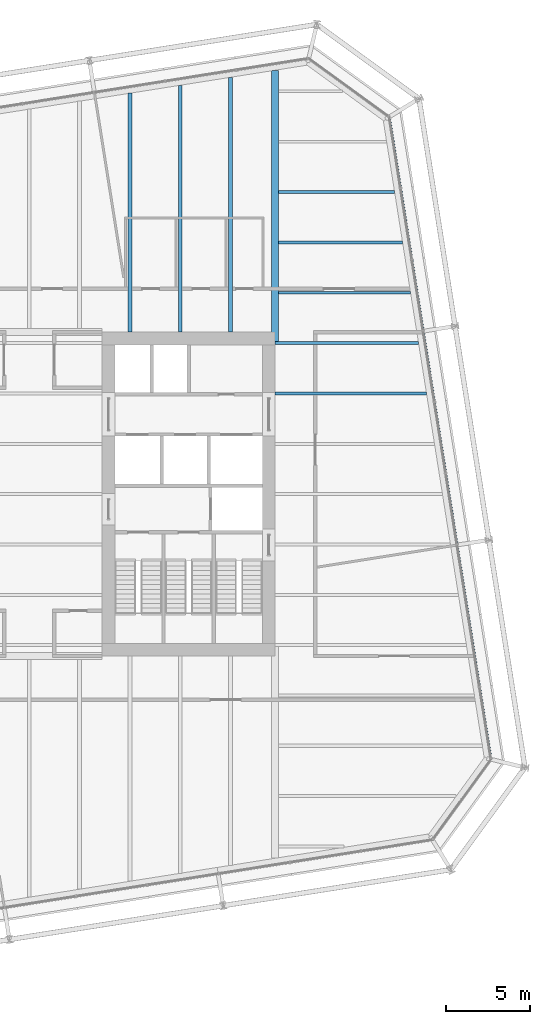
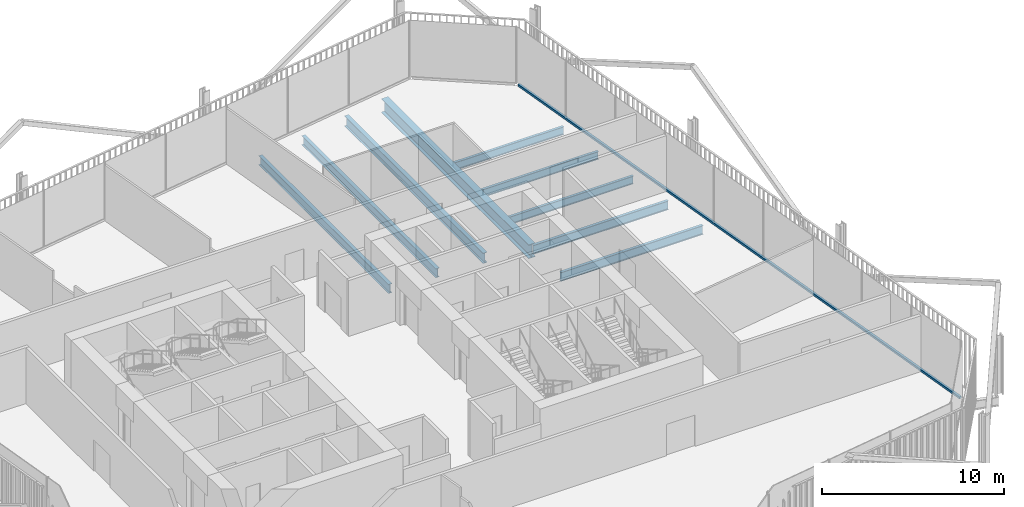
# One storey, part 14 of 22: 9 beams, 1 member, 1 element without a shape of its own.
"""IFC4 building model written with IfcOpenShell, lengths in metres."""

from ifc_helpers import new_model, si_unit, direction, frame, origin, origin_2d, place, context, subcontext, project, spatial, rectangle, i_section, extrude, material, layer, layer_set, material_profile, profile_set, type_object, element, aggregate, save


model = new_model("IFC4")

# Units and contexts
model_context = context("Model", 3, precision=1e-05, world=origin(), true_north=direction((0.0, 1.0)))
body_context = subcontext(model_context, "Body", "Model", "MODEL_VIEW")
ifc_project = project(units=[si_unit("LENGTHUNIT", "METRE"), si_unit("AREAUNIT", "SQUARE_METRE"), si_unit("VOLUMEUNIT", "CUBIC_METRE"), si_unit("PLANEANGLEUNIT", "RADIAN"), si_unit("MASSUNIT", "GRAM", prefix="KILO")], contexts=[model_context])

# Site, building, storey
site_placement = place(None, origin())
site = spatial("IfcSite", under=ifc_project, at=site_placement, CompositionType="ELEMENT")
building_placement = place(site_placement, origin())
building = spatial("IfcBuilding", under=site, at=building_placement, Name="Millrace Tower", CompositionType="ELEMENT")
storey_placement = place(building_placement, frame((0.0, 0.0, 160.699951171875)))
storey = spatial("IfcBuildingStorey", under=building, at=storey_placement, Name="L36", CompositionType="ELEMENT", Elevation=160.699951171875)

# Curtain wall, member
ifc_material_1 = material(Name="Aluminium and glass", Category="aluminium")
ifc_layer = layer(ifc_material_1, 0.14990234375)
ifc_layer_set = layer_set([ifc_layer], Name="Aluminium and glass")
curtain_wall_type = type_object("IfcCurtainWallType", Name="CW-1 office vision curtain wall", PredefinedType="NOTDEFINED", material=ifc_layer_set)
curtain_wall_placement = place(storey_placement, origin())
curtain_wall = element("IfcCurtainWall", 1, at=curtain_wall_placement, inside=storey, type_object=curtain_wall_type, Name="Curtain wall C-F04 L36", PredefinedType="NOTDEFINED")
ifc_material_2 = material(Name="Aluminium", Category="aluminium")
ifc_material_profile_1 = material_profile(ifc_material_2, rectangle(XDim=0.14990234375, YDim=0.139892578125, at=origin_2d()))
ifc_profile_set_1 = profile_set([ifc_material_profile_1], Name="Aluminium")
member_type = type_object("IfcMemberType", Name="CW-1 office vision curtain wall transom", PredefinedType="USERDEFINED", material=ifc_profile_set_1)
member_placement = place(storey_placement, frame((27.49609375, -15.675048828125, 0.070068359375), z_axis=(-0.156434402447, 0.987688350509, 0.0), x_axis=(-0.987688350509, -0.156434402447, 0.0)))
member = element("IfcMember", 2, at=member_placement, type_object=member_type, Name="CW1 transom C-F04.1", ObjectType="TRANSOM", PredefinedType="USERDEFINED", context=body_context, shape_type="SweptSolid", body=[
    extrude(rectangle(XDim=0.14990234375, YDim=0.139892578125, at=origin_2d()), origin(), (0.0, 0.0, 1.0), 38.499755859375),
])
aggregate(curtain_wall, [member])

# Beams
ifc_material_3 = material(Name="Steel ASTM A992 Grade 50", Category="steel")
ifc_material_profile_2 = material_profile(ifc_material_3, i_section(OverallWidth=0.1650390625, OverallDepth=0.52587890625, WebThickness=0.0087890625, FlangeThickness=0.011474609375, FilletRadius=0.0126953125, at=origin_2d()))
ifc_profile_set_2 = profile_set([ifc_material_profile_2], Name="Steel ASTM A992 Grade 50")
beam_type_1 = type_object("IfcBeamType", Name="Floor beam W21x44", PredefinedType="JOIST", material=ifc_profile_set_2)
beam_1_placement = place(storey_placement, frame((14.859619140625, 12.0, -0.4228515625), z_axis=(1.0, 0.0, 0.0), x_axis=(0.0, 1.0, 0.0)))
element("IfcBeam", 3, at=beam_1_placement, inside=storey, type_object=beam_type_1, Name="BM-C-L36-S1-S032", PredefinedType="JOIST", context=body_context, shape_type="SweptSolid", body=[
    extrude(i_section(OverallWidth=0.1650390625, OverallDepth=0.52587890625, WebThickness=0.0087890625, FlangeThickness=0.011474609375, FilletRadius=0.0126953125, at=origin_2d()), origin(), (0.0, 0.0, 1.0), 7.8662109375),
])
beam_2_placement = place(storey_placement, frame((14.859619140625, 15.0, -0.4228515625), z_axis=(1.0, 0.0, 0.0), x_axis=(0.0, 1.0, 0.0)))
element("IfcBeam", 4, at=beam_2_placement, inside=storey, type_object=beam_type_1, Name="BM-C-L36-S1-S034", PredefinedType="JOIST", context=body_context, shape_type="SweptSolid", body=[
    extrude(i_section(OverallWidth=0.1650390625, OverallDepth=0.52587890625, WebThickness=0.0087890625, FlangeThickness=0.011474609375, FilletRadius=0.0126953125, at=origin_2d()), origin(), (0.0, 0.0, 1.0), 7.390869140625),
])
beam_3_placement = place(storey_placement, frame((14.859619140625, 18.0, -0.4228515625), z_axis=(1.0, 0.0, 0.0), x_axis=(0.0, 1.0, 0.0)))
element("IfcBeam", 5, at=beam_3_placement, inside=storey, type_object=beam_type_1, Name="BM-C-L36-S1-S036", PredefinedType="JOIST", context=body_context, shape_type="SweptSolid", body=[
    extrude(i_section(OverallWidth=0.1650390625, OverallDepth=0.52587890625, WebThickness=0.0087890625, FlangeThickness=0.011474609375, FilletRadius=0.0126953125, at=origin_2d()), origin(), (0.0, 0.0, 1.0), 6.915771484375),
])
ifc_material_4 = material(Name="Steel ASTM A992 Grade 50", Category="steel")
ifc_material_profile_3 = material_profile(ifc_material_4, i_section(OverallWidth=0.177978515625, OverallDepth=0.599365234375, WebThickness=0.010009765625, FlangeThickness=0.012939453125, FilletRadius=0.012939453125, at=origin_2d()))
ifc_profile_set_3 = profile_set([ifc_material_profile_3], Name="Steel ASTM A992 Grade 50")
beam_type_2 = type_object("IfcBeamType", Name="Floor beam W24x55", PredefinedType="JOIST", material=ifc_profile_set_3)
beam_4_placement = place(storey_placement, frame((14.64990234375, 6.0, -0.459716796875), z_axis=(1.0, 0.0, 0.0), x_axis=(0.0, 1.0, 0.0)))
element("IfcBeam", 6, at=beam_4_placement, inside=storey, type_object=beam_type_2, Name="BM-C-L36-S1-S027", PredefinedType="JOIST", context=body_context, shape_type="SweptSolid", body=[
    extrude(i_section(OverallWidth=0.177978515625, OverallDepth=0.599365234375, WebThickness=0.010009765625, FlangeThickness=0.012939453125, FilletRadius=0.012939453125, at=origin_2d()), origin(), (0.0, 0.0, 1.0), 9.026123046875),
])
beam_5_placement = place(storey_placement, frame((14.64990234375, 9.0, -0.459716796875), z_axis=(1.0, 0.0, 0.0), x_axis=(0.0, 1.0, 0.0)))
element("IfcBeam", 7, at=beam_5_placement, inside=storey, type_object=beam_type_2, Name="BM-C-L36-S1-S030", PredefinedType="JOIST", context=body_context, shape_type="SweptSolid", body=[
    extrude(i_section(OverallWidth=0.177978515625, OverallDepth=0.599365234375, WebThickness=0.010009765625, FlangeThickness=0.012939453125, FilletRadius=0.012939453125, at=origin_2d()), origin(), (0.0, 0.0, 1.0), 8.551025390625),
])
ifc_material_5 = material(Name="Steel ASTM A992 Grade 50", Category="steel")
ifc_material_profile_4 = material_profile(ifc_material_5, i_section(OverallWidth=0.228271484375, OverallDepth=0.607177734375, WebThickness=0.01123046875, FlangeThickness=0.017333984375, FilletRadius=0.0126953125, at=origin_2d()))
ifc_profile_set_4 = profile_set([ifc_material_profile_4], Name="Steel ASTM A992 Grade 50")
beam_type_3 = type_object("IfcBeamType", Name="Floor beam W24x76", PredefinedType="JOIST", material=ifc_profile_set_4)
beam_6_placement = place(storey_placement, frame((6.0, 9.64990234375, -0.46337890625), z_axis=(0.0, 1.0, 0.0), x_axis=(-1.0, 0.0, 0.0)))
element("IfcBeam", 8, at=beam_6_placement, inside=storey, type_object=beam_type_3, Name="BM-C-L36-S1-S051", PredefinedType="JOIST", context=body_context, shape_type="SweptSolid", body=[
    extrude(i_section(OverallWidth=0.228271484375, OverallDepth=0.607177734375, WebThickness=0.01123046875, FlangeThickness=0.017333984375, FilletRadius=0.0126953125, at=origin_2d()), origin(), (0.0, 0.0, 1.0), 14.2421875),
])
beam_7_placement = place(storey_placement, frame((9.0, 9.64990234375, -0.46337890625), z_axis=(0.0, 1.0, 0.0), x_axis=(-1.0, 0.0, 0.0)))
element("IfcBeam", 9, at=beam_7_placement, inside=storey, type_object=beam_type_3, Name="BM-C-L36-S1-S053", PredefinedType="JOIST", context=body_context, shape_type="SweptSolid", body=[
    extrude(i_section(OverallWidth=0.228271484375, OverallDepth=0.607177734375, WebThickness=0.01123046875, FlangeThickness=0.017333984375, FilletRadius=0.0126953125, at=origin_2d()), origin(), (0.0, 0.0, 1.0), 14.71728515625),
])
ifc_material_6 = material(Name="Steel ASTM A992 Grade 50", Category="steel")
ifc_material_profile_5 = material_profile(ifc_material_6, i_section(OverallWidth=0.256591796875, OverallDepth=0.693359375, WebThickness=0.014404296875, FlangeThickness=0.023681640625, FilletRadius=0.01513671875, at=origin_2d()))
ifc_profile_set_5 = profile_set([ifc_material_profile_5], Name="Steel ASTM A992 Grade 50")
beam_type_4 = type_object("IfcBeamType", Name="Floor beam W27x114", PredefinedType="JOIST", material=ifc_profile_set_5)
beam_8_placement = place(storey_placement, frame((12.0, 9.64990234375, -0.506591796875), z_axis=(0.0, 1.0, 0.0), x_axis=(-1.0, 0.0, 0.0)))
element("IfcBeam", 10, at=beam_8_placement, inside=storey, type_object=beam_type_4, Name="BM-C-L36-S1-S055", PredefinedType="JOIST", context=body_context, shape_type="SweptSolid", body=[
    extrude(i_section(OverallWidth=0.256591796875, OverallDepth=0.693359375, WebThickness=0.014404296875, FlangeThickness=0.023681640625, FilletRadius=0.01513671875, at=origin_2d()), origin(), (0.0, 0.0, 1.0), 15.1923828125),
])
ifc_material_7 = material(Name="Steel ASTM A992 Grade 50", Category="steel")
ifc_material_profile_6 = material_profile(ifc_material_7, i_section(OverallWidth=0.419189453125, OverallDepth=0.927001953125, WebThickness=0.019287109375, FlangeThickness=0.031982421875, FilletRadius=0.024169921875, at=origin_2d()))
ifc_profile_set_6 = profile_set([ifc_material_profile_6], Name="Steel ASTM A992 Grade 50")
beam_type_5 = type_object("IfcBeamType", Name="Girder medium span W36x231", PredefinedType="BEAM", material=ifc_profile_set_6)
beam_9_placement = place(storey_placement, frame((14.64990234375, 9.090087890625, -0.62353515625), z_axis=(0.0, 1.0, 0.0), x_axis=(-1.0, 0.0, 0.0)))
element("IfcBeam", 11, at=beam_9_placement, inside=storey, type_object=beam_type_5, Name="BM-C-L36-S1-G059", PredefinedType="BEAM", context=body_context, shape_type="SweptSolid", body=[
    extrude(i_section(OverallWidth=0.419189453125, OverallDepth=0.927001953125, WebThickness=0.019287109375, FlangeThickness=0.031982421875, FilletRadius=0.024169921875, at=origin_2d()), origin(), (0.0, 0.0, 1.0), 16.1640625),
])

save(model, "model.ifc")
